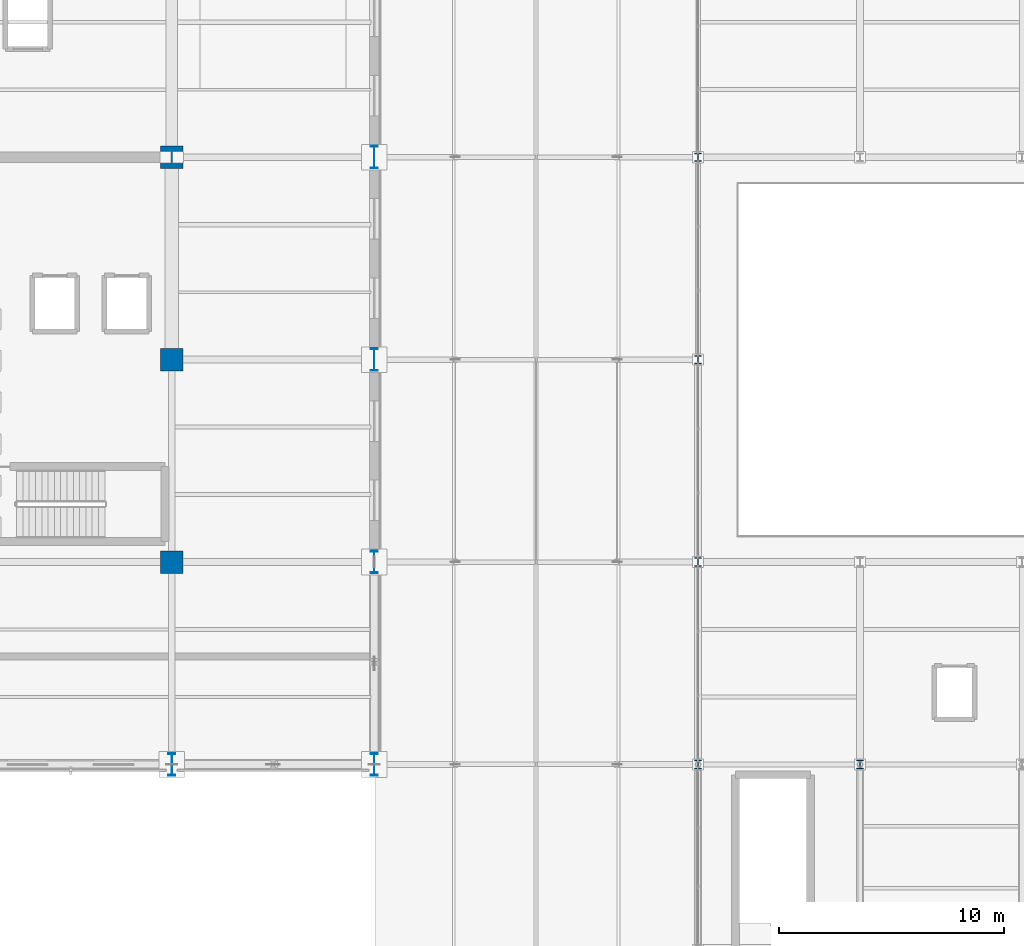
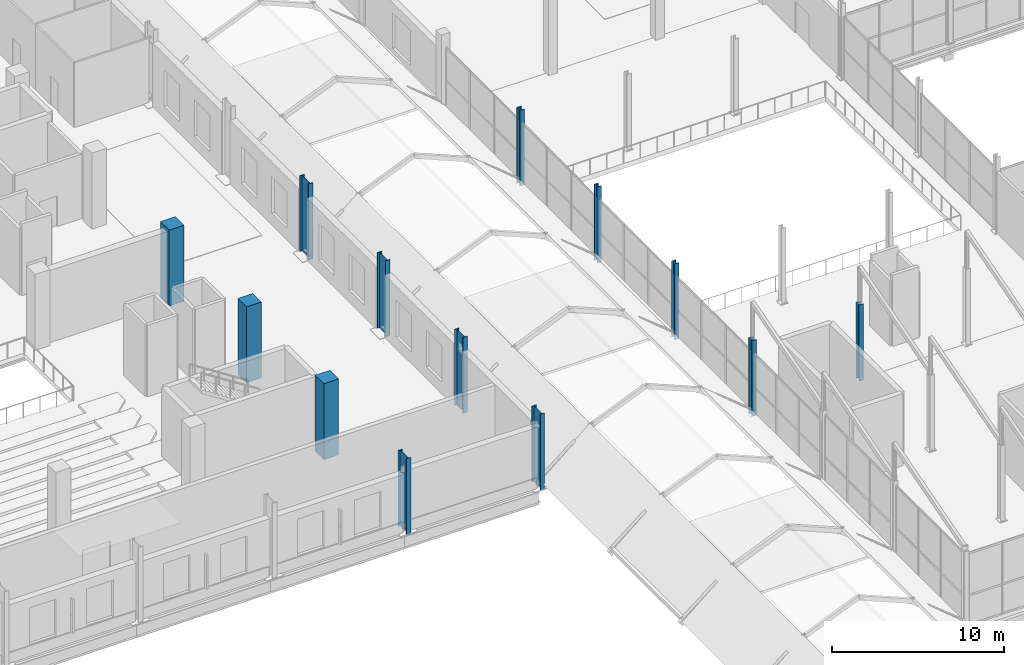
# One storey, part 3 of 141: 13 columns.
"""IFC4 building model written with IfcOpenShell, lengths in metres."""

from ifc_helpers import new_model, si_unit, direction, frame, origin, origin_2d, place, context, subcontext, project, spatial, rectangle, i_section, extrude, material, material_profile, profile_set, type_object, element, save


model = new_model("IFC4")

# Units and contexts
model_context = context("Model", 3, precision=1e-05, world=origin(), true_north=direction((0.0, 1.0)))
body_context = subcontext(model_context, "Body", "Model", "MODEL_VIEW")
ifc_project = project(units=[si_unit("LENGTHUNIT", "METRE"), si_unit("AREAUNIT", "SQUARE_METRE"), si_unit("VOLUMEUNIT", "CUBIC_METRE"), si_unit("PLANEANGLEUNIT", "RADIAN"), si_unit("MASSUNIT", "GRAM", prefix="KILO")], contexts=[model_context])

# Site, building, storey
site_placement = place(None, origin())
site = spatial("IfcSite", under=ifc_project, at=site_placement, CompositionType="ELEMENT")
building_placement = place(site_placement, origin())
building = spatial("IfcBuilding", under=site, at=building_placement, Name="Sundgate Opera House", CompositionType="ELEMENT")
storey_placement = place(building_placement, frame((0.0, 0.0, 11.39990234375)))
storey = spatial("IfcBuildingStorey", under=building, at=storey_placement, Name="L02", CompositionType="ELEMENT", Elevation=11.39990234375)

# Columns
ifc_material_1 = material(Name="Concrete C45/55", Category="concrete")
ifc_material_profile_1 = material_profile(ifc_material_1, rectangle(XDim=1.0, YDim=1.0, at=origin_2d()), Name="RC 1000x1000")
ifc_profile_set_1 = profile_set([ifc_material_profile_1], Name="Concrete C45/55")
column_type_1 = type_object("IfcColumnType", Name="CL-RC-1000", PredefinedType="COLUMN", material=ifc_profile_set_1)
for number, where, z_axis, x_axis, name in (
    (1, (72.0, 42.0, 0.0), (0.0, 0.0, 1.0), (1.0, 0.0, 0.0), "L02 Column C0464"),
    (2, (72.0, 51.0, 0.0), (0.0, 0.0, 1.0), (1.0, 0.0, 0.0), "L02 Column C0471"),
    (3, (72.0, 60.0, 0.0), (0.0, 0.0, 1.0), (1.0, 0.0, 0.0), "L02 Column C0478"),
):
    element("IfcColumn", number, at=place(storey_placement, frame(where, z_axis=z_axis, x_axis=x_axis)), inside=storey, type_object=column_type_1, Name=name, PredefinedType="COLUMN", context=body_context, shape_type="SweptSolid", body=[
        extrude(rectangle(XDim=1.0, YDim=1.0, at=origin_2d()), origin(), (0.0, 0.0, 1.0), 5.400146484375),
    ])
ifc_material_2 = material(Name="Steel S355J2", Category="steel")
ifc_material_profile_2 = material_profile(ifc_material_2, i_section(OverallWidth=0.300048828125, OverallDepth=1.0, WebThickness=0.01904296875, FlangeThickness=0.035888671875, at=origin_2d()), Name="HEB 1000")
ifc_profile_set_2 = profile_set([ifc_material_profile_2], Name="Steel S355J2")
column_type_2 = type_object("IfcColumnType", Name="CL-STL-1000", PredefinedType="COLUMN", material=ifc_profile_set_2)
for number, where, z_axis, x_axis, name in (
    (4, (72.0, 33.0, 0.0), (0.0, 0.0, 1.0), (1.0, 0.0, 0.0), "L02 Column C0457"),
    (5, (81.0, 33.0, 0.0), (0.0, 0.0, 1.0), (1.0, 0.0, 0.0), "L02 Column C0530"),
    (6, (81.0, 42.0, 0.0), (0.0, 0.0, 1.0), (1.0, 0.0, 0.0), "L02 Column C0535"),
    (7, (81.0, 51.0, 0.0), (0.0, 0.0, 1.0), (1.0, 0.0, 0.0), "L02 Column C0540"),
    (8, (81.0, 60.0, 0.0), (0.0, 0.0, 1.0), (1.0, 0.0, 0.0), "L02 Column C0545"),
):
    element("IfcColumn", number, at=place(storey_placement, frame(where, z_axis=z_axis, x_axis=x_axis)), inside=storey, type_object=column_type_2, Name=name, PredefinedType="COLUMN", context=body_context, shape_type="SweptSolid", body=[
        extrude(i_section(OverallWidth=0.300048828125, OverallDepth=1.0, WebThickness=0.01904296875, FlangeThickness=0.035888671875, at=origin_2d()), origin(), (0.0, 0.0, 1.0), 5.400146484375),
    ])
ifc_material_3 = material(Name="Steel S355J2", Category="steel")
ifc_material_profile_3 = material_profile(ifc_material_3, i_section(OverallWidth=0.300048828125, OverallDepth=0.360107421875, WebThickness=0.012451171875, FlangeThickness=0.0224609375, at=origin_2d()), Name="HEB 360")
ifc_profile_set_3 = profile_set([ifc_material_profile_3], Name="Steel S355J2")
column_type_3 = type_object("IfcColumnType", Name="CL-STL-360", PredefinedType="COLUMN", material=ifc_profile_set_3)
for number, where, z_axis, x_axis, name in (
    (9, (95.39990234375, 33.0, 0.0), (0.0, 0.0, 1.0), (1.0, 0.0, 0.0), "L02 Column C0643"),
    (10, (95.39990234375, 42.0, 0.0), (0.0, 0.0, 1.0), (1.0, 0.0, 0.0), "L02 Column C0647"),
    (11, (95.39990234375, 51.0, 0.0), (0.0, 0.0, 1.0), (1.0, 0.0, 0.0), "L02 Column C0651"),
    (12, (95.39990234375, 60.0, 0.0), (0.0, 0.0, 1.0), (1.0, 0.0, 0.0), "L02 Column C0655"),
    (13, (102.60009765625, 33.0, 0.0), (0.0, 0.0, 1.0), (1.0, 0.0, 0.0), "L02 Column C0710"),
):
    element("IfcColumn", number, at=place(storey_placement, frame(where, z_axis=z_axis, x_axis=x_axis)), inside=storey, type_object=column_type_3, Name=name, PredefinedType="COLUMN", context=body_context, shape_type="SweptSolid", body=[
        extrude(i_section(OverallWidth=0.300048828125, OverallDepth=0.360107421875, WebThickness=0.012451171875, FlangeThickness=0.0224609375, at=origin_2d()), origin(), (0.0, 0.0, 1.0), 5.400146484375),
    ])

save(model, "model.ifc")
